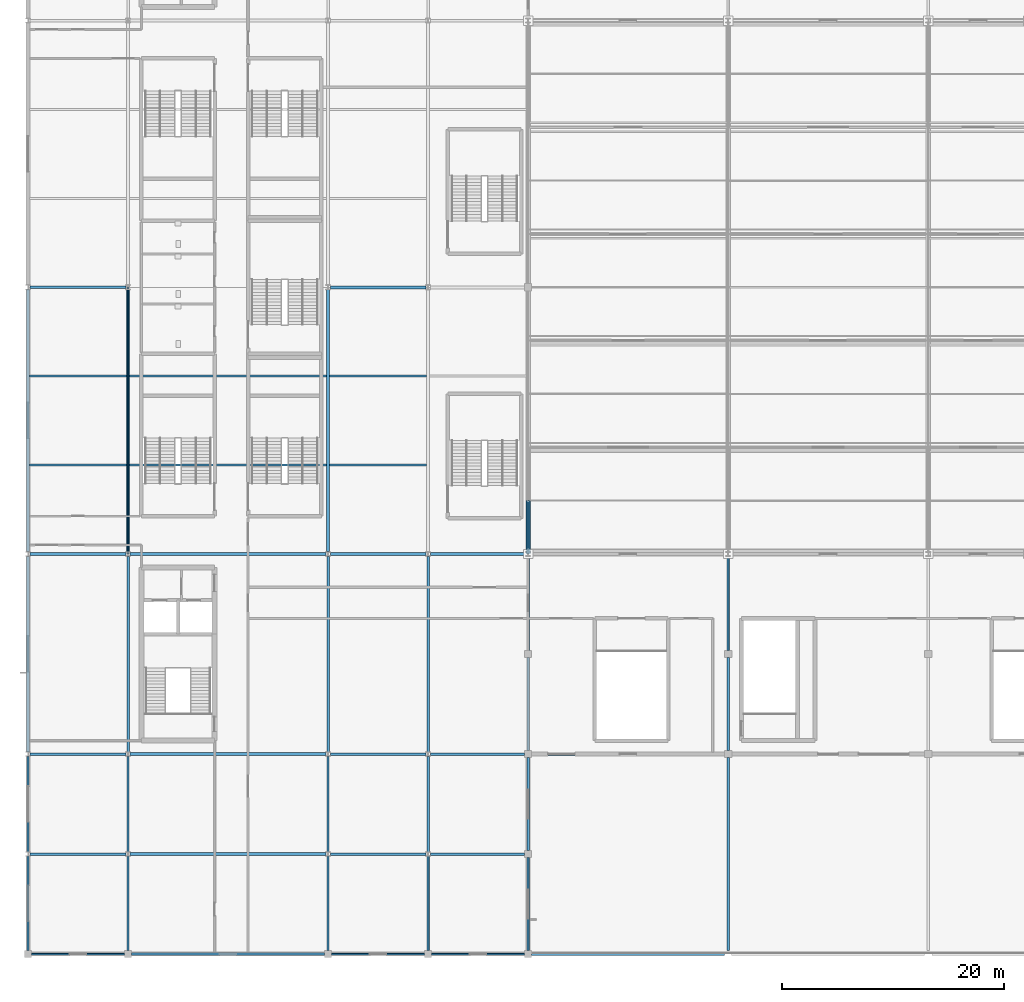
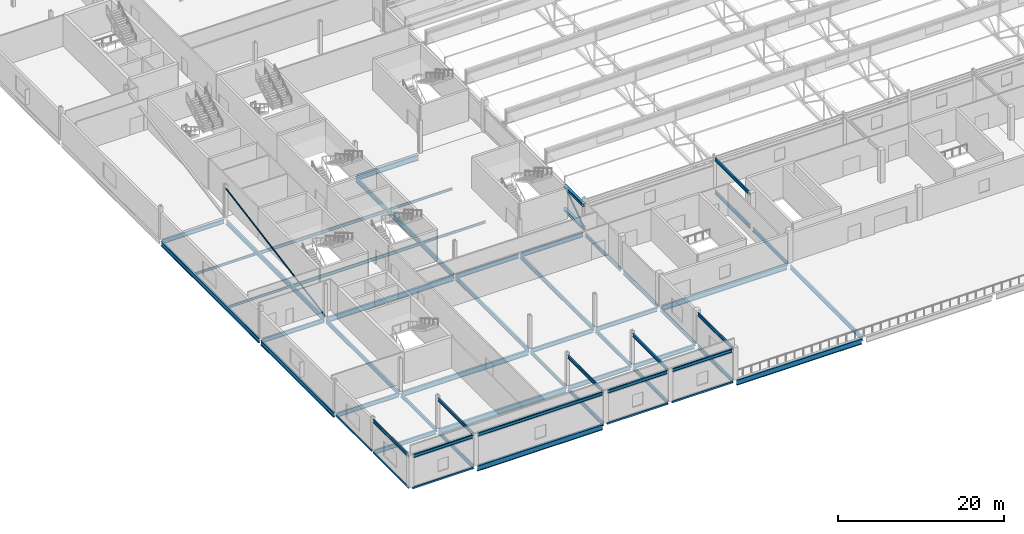
# One storey, part 12 of 136: 60 beams, 2 members.
"""IFC4 building model written with IfcOpenShell, lengths in metres."""

from ifc_helpers import new_model, si_unit, direction, frame, origin, origin_2d, place, context, subcontext, project, spatial, hollow_rectangle, hollow_circle, i_section, extrude, material, material_profile, profile_set, type_object, element, save


model = new_model("IFC4")

# Units and contexts
model_context = context("Model", 3, precision=1e-05, world=origin(), true_north=direction((0.0, 1.0)))
body_context = subcontext(model_context, "Body", "Model", "MODEL_VIEW")
ifc_project = project(units=[si_unit("LENGTHUNIT", "METRE"), si_unit("AREAUNIT", "SQUARE_METRE"), si_unit("VOLUMEUNIT", "CUBIC_METRE"), si_unit("PLANEANGLEUNIT", "RADIAN"), si_unit("MASSUNIT", "GRAM", prefix="KILO")], contexts=[model_context])

# Site, building, storey
site_placement = place(None, origin())
site = spatial("IfcSite", under=ifc_project, at=site_placement, CompositionType="ELEMENT")
building_placement = place(site_placement, origin())
building = spatial("IfcBuilding", under=site, at=building_placement, Name="Kisiwana Market Hall", CompositionType="ELEMENT")
storey_placement = place(building_placement, frame((0.0, 0.0, 16.800048828125)))
storey = spatial("IfcBuildingStorey", under=building, at=storey_placement, Name="L03", CompositionType="ELEMENT", Elevation=16.800048828125)

# Beams
ifc_material_1 = material(Name="Steel S355", Category="steel")
ifc_material_profile_1 = material_profile(ifc_material_1, i_section(OverallWidth=0.19140625, OverallDepth=0.4599609375, WebThickness=0.010009765625, FlangeThickness=0.01611328125, at=origin_2d()), Name="UB 457x191x82")
ifc_profile_set_1 = profile_set([ifc_material_profile_1], Name="Steel S355")
beam_type_1 = type_object("IfcBeamType", Name="BM-GIRD-UB457H", PredefinedType="BEAM", material=ifc_profile_set_1)
beam_1_placement = place(storey_placement, frame((0.321044921875, 0.0, 4.27783203125), z_axis=(1.0, 0.0, 0.0), x_axis=(0.0, 1.0, 0.0)))
element("IfcBeam", 1, at=beam_1_placement, inside=storey, type_object=beam_type_1, Name="Roof girder B-1101", PredefinedType="BEAM", context=body_context, shape_type="SweptSolid", body=[
    extrude(i_section(OverallWidth=0.19140625, OverallDepth=0.4599609375, WebThickness=0.010009765625, FlangeThickness=0.01611328125, at=origin_2d()), origin(), (0.0, 0.0, 1.0), 8.35791015625),
])
beam_2_placement = place(storey_placement, frame((9.321044921875, 0.0, 4.27783203125), z_axis=(1.0, 0.0, 0.0), x_axis=(0.0, 1.0, 0.0)))
element("IfcBeam", 2, at=beam_2_placement, inside=storey, type_object=beam_type_1, Name="Roof girder B-1102", PredefinedType="BEAM", context=body_context, shape_type="SweptSolid", body=[
    extrude(i_section(OverallWidth=0.19140625, OverallDepth=0.4599609375, WebThickness=0.010009765625, FlangeThickness=0.01611328125, at=origin_2d()), origin(), (0.0, 0.0, 1.0), 17.35791015625),
])
for number, where, z_axis, x_axis, name in (
    (3, (27.321044921875, 0.0, 4.27783203125), (1.0, 0.0, 0.0), (0.0, 1.0, 0.0), "Roof girder B-1103"),
    (4, (36.321044921875, 0.0, 4.27783203125), (1.0, 0.0, 0.0), (0.0, 1.0, 0.0), "Roof girder B-1104"),
):
    element("IfcBeam", number, at=place(storey_placement, frame(where, z_axis=z_axis, x_axis=x_axis)), inside=storey, type_object=beam_type_1, Name=name, PredefinedType="BEAM", context=body_context, shape_type="SweptSolid", body=[
        extrude(i_section(OverallWidth=0.19140625, OverallDepth=0.4599609375, WebThickness=0.010009765625, FlangeThickness=0.01611328125, at=origin_2d()), origin(), (0.0, 0.0, 1.0), 8.35791015625),
    ])
for number, where, z_axis, x_axis, name in (
    (5, (0.0, 0.321044921875, 4.27783203125), (0.0, 1.0, 0.0), (-1.0, 0.0, 0.0), "Roof girder B-1105"),
    (6, (9.0, 0.321044921875, 4.27783203125), (0.0, 1.0, 0.0), (-1.0, 0.0, 0.0), "Roof girder B-1106"),
    (7, (27.0, 0.321044921875, 4.27783203125), (0.0, 1.0, 0.0), (-1.0, 0.0, 0.0), "Roof girder B-1107"),
    (8, (36.0, 0.321044921875, 4.27783203125), (0.0, 1.0, 0.0), (-1.0, 0.0, 0.0), "Roof girder B-1108"),
):
    element("IfcBeam", number, at=place(storey_placement, frame(where, z_axis=z_axis, x_axis=x_axis)), inside=storey, type_object=beam_type_1, Name=name, PredefinedType="BEAM", context=body_context, shape_type="SweptSolid", body=[
        extrude(i_section(OverallWidth=0.19140625, OverallDepth=0.4599609375, WebThickness=0.010009765625, FlangeThickness=0.01611328125, at=origin_2d()), origin(), (0.0, 0.0, 1.0), 8.486083984375),
    ])
beam_3_placement = place(storey_placement, frame((45.0, 0.321044921875, 4.27783203125), z_axis=(0.0, 1.0, 0.0), x_axis=(-1.0, 0.0, 0.0)))
element("IfcBeam", 9, at=beam_3_placement, inside=storey, type_object=beam_type_1, Name="Roof girder B-1109", PredefinedType="BEAM", context=body_context, shape_type="SweptSolid", body=[
    extrude(i_section(OverallWidth=0.19140625, OverallDepth=0.4599609375, WebThickness=0.010009765625, FlangeThickness=0.01611328125, at=origin_2d()), origin(), (0.0, 0.0, 1.0), 8.35791015625),
])
beam_4_placement = place(storey_placement, frame((63.0, 27.321044921875, 4.27783203125), z_axis=(0.0, 1.0, 0.0), x_axis=(-1.0, 0.0, 0.0)))
element("IfcBeam", 10, at=beam_4_placement, inside=storey, type_object=beam_type_1, Name="Roof girder B-1145", PredefinedType="BEAM", context=body_context, shape_type="SweptSolid", body=[
    extrude(i_section(OverallWidth=0.19140625, OverallDepth=0.4599609375, WebThickness=0.010009765625, FlangeThickness=0.01611328125, at=origin_2d()), origin(), (0.0, 0.0, 1.0), 8.465576171875),
])
ifc_material_2 = material(Name="Steel S355", Category="steel")
ifc_material_profile_2 = material_profile(ifc_material_2, i_section(OverallWidth=0.209228515625, OverallDepth=0.533203125, WebThickness=0.010009765625, FlangeThickness=0.015625, at=origin_2d()), Name="UB 533x210x92")
ifc_profile_set_2 = profile_set([ifc_material_profile_2], Name="Steel S355")
beam_type_2 = type_object("IfcBeamType", Name="BM-GIRD-UB533", PredefinedType="BEAM", material=ifc_profile_set_2)
beam_5_placement = place(storey_placement, frame((9.0, 0.321044921875, -0.5166015625), z_axis=(0.0, 1.0, 0.0), x_axis=(-1.0, 0.0, 0.0)))
element("IfcBeam", 11, at=beam_5_placement, inside=storey, type_object=beam_type_2, Name="Primary girder B-0853", PredefinedType="BEAM", context=body_context, shape_type="SweptSolid", body=[
    extrude(i_section(OverallWidth=0.209228515625, OverallDepth=0.533203125, WebThickness=0.010009765625, FlangeThickness=0.015625, at=origin_2d()), origin(), (0.0, 0.0, 1.0), 8.486083984375),
])
beam_6_placement = place(storey_placement, frame((9.0, 9.19287109375, -0.5166015625), z_axis=(0.0, 1.0, 0.0), x_axis=(-1.0, 0.0, 0.0)))
element("IfcBeam", 12, at=beam_6_placement, inside=storey, type_object=beam_type_2, Name="Primary girder B-0854", PredefinedType="BEAM", context=body_context, shape_type="SweptSolid", body=[
    extrude(i_section(OverallWidth=0.209228515625, OverallDepth=0.533203125, WebThickness=0.010009765625, FlangeThickness=0.015625, at=origin_2d()), origin(), (0.0, 0.0, 1.0), 8.60302734375),
])
beam_7_placement = place(storey_placement, frame((27.0, 0.321044921875, -0.5166015625), z_axis=(0.0, 1.0, 0.0), x_axis=(-1.0, 0.0, 0.0)))
element("IfcBeam", 13, at=beam_7_placement, inside=storey, type_object=beam_type_2, Name="Primary girder B-0861", PredefinedType="BEAM", context=body_context, shape_type="SweptSolid", body=[
    extrude(i_section(OverallWidth=0.209228515625, OverallDepth=0.533203125, WebThickness=0.010009765625, FlangeThickness=0.015625, at=origin_2d()), origin(), (0.0, 0.0, 1.0), 8.486083984375),
])
beam_8_placement = place(storey_placement, frame((27.0, 9.19287109375, -0.5166015625), z_axis=(0.0, 1.0, 0.0), x_axis=(-1.0, 0.0, 0.0)))
element("IfcBeam", 14, at=beam_8_placement, inside=storey, type_object=beam_type_2, Name="Primary girder B-0862", PredefinedType="BEAM", context=body_context, shape_type="SweptSolid", body=[
    extrude(i_section(OverallWidth=0.209228515625, OverallDepth=0.533203125, WebThickness=0.010009765625, FlangeThickness=0.015625, at=origin_2d()), origin(), (0.0, 0.0, 1.0), 8.60302734375),
])
beam_9_placement = place(storey_placement, frame((36.0, 0.321044921875, -0.5166015625), z_axis=(0.0, 1.0, 0.0), x_axis=(-1.0, 0.0, 0.0)))
element("IfcBeam", 15, at=beam_9_placement, inside=storey, type_object=beam_type_2, Name="Primary girder B-0867", PredefinedType="BEAM", context=body_context, shape_type="SweptSolid", body=[
    extrude(i_section(OverallWidth=0.209228515625, OverallDepth=0.533203125, WebThickness=0.010009765625, FlangeThickness=0.015625, at=origin_2d()), origin(), (0.0, 0.0, 1.0), 8.486083984375),
])
beam_10_placement = place(storey_placement, frame((36.0, 9.19287109375, -0.5166015625), z_axis=(0.0, 1.0, 0.0), x_axis=(-1.0, 0.0, 0.0)))
element("IfcBeam", 16, at=beam_10_placement, inside=storey, type_object=beam_type_2, Name="Primary girder B-0868", PredefinedType="BEAM", context=body_context, shape_type="SweptSolid", body=[
    extrude(i_section(OverallWidth=0.209228515625, OverallDepth=0.533203125, WebThickness=0.010009765625, FlangeThickness=0.015625, at=origin_2d()), origin(), (0.0, 0.0, 1.0), 8.60302734375),
])
for number, where, z_axis, x_axis, name in (
    (17, (45.0, 0.321044921875, -0.524658203125), (0.0, 1.0, 0.0), (-1.0, 0.0, 0.0), "Primary girder B-0875"),
    (18, (45.0, 9.321044921875, -0.524658203125), (0.0, 1.0, 0.0), (-1.0, 0.0, 0.0), "Primary girder B-0876"),
    (19, (45.0, 18.321044921875, -0.5166015625), (0.0, 1.0, 0.0), (-1.0, 0.0, 0.0), "Primary girder B-0877"),
):
    element("IfcBeam", number, at=place(storey_placement, frame(where, z_axis=z_axis, x_axis=x_axis)), inside=storey, type_object=beam_type_2, Name=name, PredefinedType="BEAM", context=body_context, shape_type="SweptSolid", body=[
        extrude(i_section(OverallWidth=0.209228515625, OverallDepth=0.533203125, WebThickness=0.010009765625, FlangeThickness=0.015625, at=origin_2d()), origin(), (0.0, 0.0, 1.0), 8.35791015625),
    ])
beam_11_placement = place(storey_placement, frame((45.0, 27.321044921875, -0.5166015625), z_axis=(0.0, 1.0, 0.0), x_axis=(-1.0, 0.0, 0.0)))
element("IfcBeam", 20, at=beam_11_placement, inside=storey, type_object=beam_type_2, Name="Primary girder B-0878", PredefinedType="BEAM", context=body_context, shape_type="SweptSolid", body=[
    extrude(i_section(OverallWidth=0.209228515625, OverallDepth=0.533203125, WebThickness=0.010009765625, FlangeThickness=0.015625, at=origin_2d()), origin(), (0.0, 0.0, 1.0), 8.465576171875),
])
beam_12_placement = place(storey_placement, frame((63.0, 18.321044921875, -0.5166015625), z_axis=(0.0, 1.0, 0.0), x_axis=(-1.0, 0.0, 0.0)))
element("IfcBeam", 21, at=beam_12_placement, inside=storey, type_object=beam_type_2, Name="Primary girder B-0884", PredefinedType="BEAM", context=body_context, shape_type="SweptSolid", body=[
    extrude(i_section(OverallWidth=0.209228515625, OverallDepth=0.533203125, WebThickness=0.010009765625, FlangeThickness=0.015625, at=origin_2d()), origin(), (0.0, 0.0, 1.0), 8.35791015625),
])
beam_13_placement = place(storey_placement, frame((63.0, 27.321044921875, -0.5166015625), z_axis=(0.0, 1.0, 0.0), x_axis=(-1.0, 0.0, 0.0)))
element("IfcBeam", 22, at=beam_13_placement, inside=storey, type_object=beam_type_2, Name="Primary girder B-0885", PredefinedType="BEAM", context=body_context, shape_type="SweptSolid", body=[
    extrude(i_section(OverallWidth=0.209228515625, OverallDepth=0.533203125, WebThickness=0.010009765625, FlangeThickness=0.015625, at=origin_2d()), origin(), (0.0, 0.0, 1.0), 8.465576171875),
])
ifc_material_3 = material(Name="Steel S355", Category="steel")
ifc_material_profile_3 = material_profile(ifc_material_3, i_section(OverallWidth=0.22900390625, OverallDepth=0.6123046875, WebThickness=0.011962890625, FlangeThickness=0.01953125, at=origin_2d()), Name="UB 610x229x125")
ifc_profile_set_3 = profile_set([ifc_material_profile_3], Name="Steel S355")
beam_type_3 = type_object("IfcBeamType", Name="BM-GIRD-UB610H", PredefinedType="BEAM", material=ifc_profile_set_3)
for number, where, z_axis, x_axis, name in (
    (23, (0.195556640625, 9.0, -0.55615234375), (1.0, 0.0, 0.0), (0.0, 1.0, 0.0), "Floor beam B-0985"),
    (24, (27.195556640625, 9.0, -0.55615234375), (1.0, 0.0, 0.0), (0.0, 1.0, 0.0), "Floor beam B-0987"),
):
    element("IfcBeam", number, at=place(storey_placement, frame(where, z_axis=z_axis, x_axis=x_axis)), inside=storey, type_object=beam_type_3, Name=name, PredefinedType="BEAM", context=body_context, shape_type="SweptSolid", body=[
        extrude(i_section(OverallWidth=0.22900390625, OverallDepth=0.6123046875, WebThickness=0.011962890625, FlangeThickness=0.01953125, at=origin_2d()), origin(), (0.0, 0.0, 1.0), 8.60888671875),
    ])
beam_14_placement = place(storey_placement, frame((36.195556640625, 9.0, -0.55615234375), z_axis=(1.0, 0.0, 0.0), x_axis=(0.0, 1.0, 0.0)))
element("IfcBeam", 25, at=beam_14_placement, inside=storey, type_object=beam_type_3, Name="Floor beam B-0988", PredefinedType="BEAM", context=body_context, shape_type="SweptSolid", body=[
    extrude(i_section(OverallWidth=0.22900390625, OverallDepth=0.6123046875, WebThickness=0.011962890625, FlangeThickness=0.01953125, at=origin_2d()), origin(), (0.0, 0.0, 1.0), 8.4833984375),
])
for number, where, z_axis, x_axis, name in (
    (26, (0.198974609375, 18.0, -0.55615234375), (1.0, 0.0, 0.0), (0.0, 1.0, 0.0), "Floor beam B-0993"),
    (27, (27.198974609375, 18.0, -0.55615234375), (1.0, 0.0, 0.0), (0.0, 1.0, 0.0), "Floor beam B-0995"),
):
    element("IfcBeam", number, at=place(storey_placement, frame(where, z_axis=z_axis, x_axis=x_axis)), inside=storey, type_object=beam_type_3, Name=name, PredefinedType="BEAM", context=body_context, shape_type="SweptSolid", body=[
        extrude(i_section(OverallWidth=0.22900390625, OverallDepth=0.6123046875, WebThickness=0.011962890625, FlangeThickness=0.01953125, at=origin_2d()), origin(), (0.0, 0.0, 1.0), 8.60205078125),
    ])
beam_15_placement = place(storey_placement, frame((36.198974609375, 18.0, -0.55615234375), z_axis=(1.0, 0.0, 0.0), x_axis=(0.0, 1.0, 0.0)))
element("IfcBeam", 28, at=beam_15_placement, inside=storey, type_object=beam_type_3, Name="Floor beam B-0996", PredefinedType="BEAM", context=body_context, shape_type="SweptSolid", body=[
    extrude(i_section(OverallWidth=0.22900390625, OverallDepth=0.6123046875, WebThickness=0.011962890625, FlangeThickness=0.01953125, at=origin_2d()), origin(), (0.0, 0.0, 1.0), 8.47998046875),
])
for number, where, z_axis, x_axis, name in (
    (29, (0.198974609375, 36.0, -0.55615234375), (1.0, 0.0, 0.0), (0.0, 1.0, 0.0), "Floor beam B-1007"),
    (30, (27.198974609375, 36.0, -0.55615234375), (1.0, 0.0, 0.0), (0.0, 1.0, 0.0), "Floor beam B-1009"),
):
    element("IfcBeam", number, at=place(storey_placement, frame(where, z_axis=z_axis, x_axis=x_axis)), inside=storey, type_object=beam_type_3, Name=name, PredefinedType="BEAM", context=body_context, shape_type="SweptSolid", body=[
        extrude(i_section(OverallWidth=0.22900390625, OverallDepth=0.6123046875, WebThickness=0.011962890625, FlangeThickness=0.01953125, at=origin_2d()), origin(), (0.0, 0.0, 1.0), 8.60205078125),
    ])
beam_16_placement = place(storey_placement, frame((36.198974609375, 36.0, -0.55615234375), z_axis=(1.0, 0.0, 0.0), x_axis=(0.0, 1.0, 0.0)))
element("IfcBeam", 31, at=beam_16_placement, inside=storey, type_object=beam_type_3, Name="Floor beam B-1010", PredefinedType="BEAM", context=body_context, shape_type="SweptSolid", body=[
    extrude(i_section(OverallWidth=0.22900390625, OverallDepth=0.6123046875, WebThickness=0.011962890625, FlangeThickness=0.01953125, at=origin_2d()), origin(), (0.0, 0.0, 1.0), 8.59912109375),
])
beam_17_placement = place(storey_placement, frame((0.198974609375, 60.0, -0.55615234375), z_axis=(1.0, 0.0, 0.0), x_axis=(0.0, 1.0, 0.0)))
element("IfcBeam", 32, at=beam_17_placement, inside=storey, type_object=beam_type_3, Name="Primary girder B-0851", PredefinedType="BEAM", context=body_context, shape_type="SweptSolid", body=[
    extrude(i_section(OverallWidth=0.22900390625, OverallDepth=0.6123046875, WebThickness=0.011962890625, FlangeThickness=0.01953125, at=origin_2d()), origin(), (0.0, 0.0, 1.0), 8.60205078125),
])
for number, where, z_axis, x_axis, name in (
    (33, (9.0, 18.2041015625, -0.55615234375), (0.0, 1.0, 0.0), (-1.0, 0.0, 0.0), "Primary girder B-0855"),
    (34, (27.0, 18.2041015625, -0.55615234375), (0.0, 1.0, 0.0), (-1.0, 0.0, 0.0), "Primary girder B-0863"),
    (35, (36.0, 18.2041015625, -0.55615234375), (0.0, 1.0, 0.0), (-1.0, 0.0, 0.0), "Primary girder B-0869"),
):
    element("IfcBeam", number, at=place(storey_placement, frame(where, z_axis=z_axis, x_axis=x_axis)), inside=storey, type_object=beam_type_3, Name=name, PredefinedType="BEAM", context=body_context, shape_type="SweptSolid", body=[
        extrude(i_section(OverallWidth=0.22900390625, OverallDepth=0.6123046875, WebThickness=0.011962890625, FlangeThickness=0.01953125, at=origin_2d()), origin(), (0.0, 0.0, 1.0), 17.591796875),
    ])
beam_18_placement = place(storey_placement, frame((63.0, 0.321044921875, -0.564208984375), z_axis=(0.0, 1.0, 0.0), x_axis=(-1.0, 0.0, 0.0)))
element("IfcBeam", 36, at=beam_18_placement, inside=storey, type_object=beam_type_3, Name="Primary girder B-0883", PredefinedType="BEAM", context=body_context, shape_type="SweptSolid", body=[
    extrude(i_section(OverallWidth=0.22900390625, OverallDepth=0.6123046875, WebThickness=0.011962890625, FlangeThickness=0.01953125, at=origin_2d()), origin(), (0.0, 0.0, 1.0), 17.35791015625),
])
ifc_material_4 = material(Name="Steel S355", Category="steel")
ifc_material_profile_4 = material_profile(ifc_material_4, i_section(OverallWidth=0.253662109375, OverallDepth=0.68359375, WebThickness=0.012451171875, FlangeThickness=0.01904296875, at=origin_2d()), Name="UB 686x254x140")
ifc_profile_set_4 = profile_set([ifc_material_profile_4], Name="Steel S355")
beam_type_4 = type_object("IfcBeamType", Name="BM-GIRD-UB686", PredefinedType="BEAM", material=ifc_profile_set_4)
beam_19_placement = place(storey_placement, frame((0.0, 18.2041015625, -0.591796875), z_axis=(0.0, 1.0, 0.0), x_axis=(-1.0, 0.0, 0.0)))
element("IfcBeam", 37, at=beam_19_placement, inside=storey, type_object=beam_type_4, Name="Floor beam B-1079", PredefinedType="BEAM", context=body_context, shape_type="SweptSolid", body=[
    extrude(i_section(OverallWidth=0.253662109375, OverallDepth=0.68359375, WebThickness=0.012451171875, FlangeThickness=0.01904296875, at=origin_2d()), origin(), (0.0, 0.0, 1.0), 17.591796875),
])
for number, where, z_axis, x_axis, name in (
    (38, (0.0, 36.2041015625, -0.591796875), (0.0, 1.0, 0.0), (-1.0, 0.0, 0.0), "Floor beam B-1080"),
    (39, (27.0, 36.2041015625, -0.591796875), (0.0, 1.0, 0.0), (-1.0, 0.0, 0.0), "Floor beam B-1085"),
    (40, (9.0, 36.2041015625, -0.591796875), (0.0, 1.0, 0.0), (-1.0, 0.0, 0.0), "Primary girder B-0856"),
):
    element("IfcBeam", number, at=place(storey_placement, frame(where, z_axis=z_axis, x_axis=x_axis)), inside=storey, type_object=beam_type_4, Name=name, PredefinedType="BEAM", context=body_context, shape_type="SweptSolid", body=[
        extrude(i_section(OverallWidth=0.253662109375, OverallDepth=0.68359375, WebThickness=0.012451171875, FlangeThickness=0.01904296875, at=origin_2d()), origin(), (0.0, 0.0, 1.0), 23.591796875),
    ])
ifc_material_5 = material(Name="Steel S355", Category="steel")
ifc_material_profile_5 = material_profile(ifc_material_5, i_section(OverallWidth=0.2666015625, OverallDepth=0.76220703125, WebThickness=0.014404296875, FlangeThickness=0.021484375, at=origin_2d()), Name="UB 762x267x173")
ifc_profile_set_5 = profile_set([ifc_material_profile_5], Name="Steel S355")
beam_type_5 = type_object("IfcBeamType", Name="BM-GIRD-UB762", PredefinedType="BEAM", material=ifc_profile_set_5)
for number, where, z_axis, x_axis, name in (
    (41, (9.321044921875, 0.0, -0.631103515625), (1.0, 0.0, 0.0), (0.0, 1.0, 0.0), "Floor beam B-0972"),
    (42, (45.321044921875, 0.0, -0.63916015625), (1.0, 0.0, 0.0), (0.0, 1.0, 0.0), "Floor beam B-0975"),
):
    element("IfcBeam", number, at=place(storey_placement, frame(where, z_axis=z_axis, x_axis=x_axis)), inside=storey, type_object=beam_type_5, Name=name, PredefinedType="BEAM", context=body_context, shape_type="SweptSolid", body=[
        extrude(i_section(OverallWidth=0.2666015625, OverallDepth=0.76220703125, WebThickness=0.014404296875, FlangeThickness=0.021484375, at=origin_2d()), origin(), (0.0, 0.0, 1.0), 17.35791015625),
    ])
beam_20_placement = place(storey_placement, frame((9.195556640625, 9.0, -0.631103515625), z_axis=(1.0, 0.0, 0.0), x_axis=(0.0, 1.0, 0.0)))
element("IfcBeam", 43, at=beam_20_placement, inside=storey, type_object=beam_type_5, Name="Floor beam B-0986", PredefinedType="BEAM", context=body_context, shape_type="SweptSolid", body=[
    extrude(i_section(OverallWidth=0.2666015625, OverallDepth=0.76220703125, WebThickness=0.014404296875, FlangeThickness=0.021484375, at=origin_2d()), origin(), (0.0, 0.0, 1.0), 17.60888671875),
])
beam_21_placement = place(storey_placement, frame((9.198974609375, 18.0, -0.631103515625), z_axis=(1.0, 0.0, 0.0), x_axis=(0.0, 1.0, 0.0)))
element("IfcBeam", 44, at=beam_21_placement, inside=storey, type_object=beam_type_5, Name="Floor beam B-0994", PredefinedType="BEAM", context=body_context, shape_type="SweptSolid", body=[
    extrude(i_section(OverallWidth=0.2666015625, OverallDepth=0.76220703125, WebThickness=0.014404296875, FlangeThickness=0.021484375, at=origin_2d()), origin(), (0.0, 0.0, 1.0), 17.60205078125),
])
beam_22_placement = place(storey_placement, frame((45.321044921875, 18.0, -0.63916015625), z_axis=(1.0, 0.0, 0.0), x_axis=(0.0, 1.0, 0.0)))
element("IfcBeam", 45, at=beam_22_placement, inside=storey, type_object=beam_type_5, Name="Floor beam B-0997", PredefinedType="BEAM", context=body_context, shape_type="SweptSolid", body=[
    extrude(i_section(OverallWidth=0.2666015625, OverallDepth=0.76220703125, WebThickness=0.014404296875, FlangeThickness=0.021484375, at=origin_2d()), origin(), (0.0, 0.0, 1.0), 17.35791015625),
])
beam_23_placement = place(storey_placement, frame((9.198974609375, 36.0, -0.631103515625), z_axis=(1.0, 0.0, 0.0), x_axis=(0.0, 1.0, 0.0)))
element("IfcBeam", 46, at=beam_23_placement, inside=storey, type_object=beam_type_5, Name="Floor beam B-1008", PredefinedType="BEAM", context=body_context, shape_type="SweptSolid", body=[
    extrude(i_section(OverallWidth=0.2666015625, OverallDepth=0.76220703125, WebThickness=0.014404296875, FlangeThickness=0.021484375, at=origin_2d()), origin(), (0.0, 0.0, 1.0), 17.60205078125),
])
beam_24_placement = place(storey_placement, frame((27.198974609375, 60.0, -0.631103515625), z_axis=(1.0, 0.0, 0.0), x_axis=(0.0, 1.0, 0.0)))
element("IfcBeam", 47, at=beam_24_placement, inside=storey, type_object=beam_type_5, Name="Floor beam B-1023", PredefinedType="BEAM", context=body_context, shape_type="SweptSolid", body=[
    extrude(i_section(OverallWidth=0.2666015625, OverallDepth=0.76220703125, WebThickness=0.014404296875, FlangeThickness=0.021484375, at=origin_2d()), origin(), (0.0, 0.0, 1.0), 8.60205078125),
])
ifc_material_6 = material(Name="Steel S355", Category="steel")
ifc_material_profile_6 = material_profile(ifc_material_6, i_section(OverallWidth=0.17138671875, OverallDepth=0.35498046875, WebThickness=0.00732421875, FlangeThickness=0.011474609375, at=origin_2d()), Name="UB 356x171x51")
ifc_profile_set_6 = profile_set([ifc_material_profile_6], Name="Steel S355")
beam_type_6 = type_object("IfcBeamType", Name="BM-JOIST-UB356", PredefinedType="JOIST", material=ifc_profile_set_6)
for number, where, z_axis, x_axis, name in (
    (48, (0.125732421875, 44.0, -0.427490234375), (1.0, 0.0, 0.0), (0.0, 1.0, 0.0), "Secondary floor joist B-0943"),
    (49, (27.125732421875, 44.0, -0.427490234375), (1.0, 0.0, 0.0), (0.0, 1.0, 0.0), "Secondary floor joist B-0945"),
    (50, (0.125732421875, 52.0, -0.427490234375), (1.0, 0.0, 0.0), (0.0, 1.0, 0.0), "Secondary floor joist B-0949"),
    (51, (27.125732421875, 52.0, -0.427490234375), (1.0, 0.0, 0.0), (0.0, 1.0, 0.0), "Secondary floor joist B-0951"),
):
    element("IfcBeam", number, at=place(storey_placement, frame(where, z_axis=z_axis, x_axis=x_axis)), inside=storey, type_object=beam_type_6, Name=name, PredefinedType="JOIST", context=body_context, shape_type="SweptSolid", body=[
        extrude(i_section(OverallWidth=0.17138671875, OverallDepth=0.35498046875, WebThickness=0.00732421875, FlangeThickness=0.011474609375, at=origin_2d()), origin(), (0.0, 0.0, 1.0), 8.74853515625),
    ])
ifc_material_7 = material(Name="Steel S355", Category="steel")
ifc_material_profile_7 = material_profile(ifc_material_7, i_section(OverallWidth=0.18994140625, OverallDepth=0.453369140625, WebThickness=0.008544921875, FlangeThickness=0.0126953125, at=origin_2d()), Name="UB 457x191x67")
ifc_profile_set_7 = profile_set([ifc_material_profile_7], Name="Steel S355")
beam_type_7 = type_object("IfcBeamType", Name="BM-JOIST-UB457", PredefinedType="JOIST", material=ifc_profile_set_7)
for number, where, z_axis, x_axis, name in (
    (52, (9.125732421875, 44.0, -0.476806640625), (1.0, 0.0, 0.0), (0.0, 1.0, 0.0), "Secondary floor joist B-0944"),
    (53, (9.125732421875, 52.0, -0.476806640625), (1.0, 0.0, 0.0), (0.0, 1.0, 0.0), "Secondary floor joist B-0950"),
):
    element("IfcBeam", number, at=place(storey_placement, frame(where, z_axis=z_axis, x_axis=x_axis)), inside=storey, type_object=beam_type_7, Name=name, PredefinedType="JOIST", context=body_context, shape_type="SweptSolid", body=[
        extrude(i_section(OverallWidth=0.18994140625, OverallDepth=0.453369140625, WebThickness=0.008544921875, FlangeThickness=0.0126953125, at=origin_2d()), origin(), (0.0, 0.0, 1.0), 17.74853515625),
    ])
ifc_material_8 = material(Name="Steel S355", Category="steel")
ifc_material_profile_8 = material_profile(ifc_material_8, hollow_rectangle(XDim=0.14990234375, YDim=0.25, WallThickness=0.010009765625, at=origin_2d()), Name="RHS 250x150x10.0")
ifc_profile_set_8 = profile_set([ifc_material_profile_8], Name="Steel S355")
beam_type_8 = type_object("IfcBeamType", Name="BM-SPAN-RHS250", PredefinedType="SPANDREL", material=ifc_profile_set_8)
for number, where, z_axis, x_axis, name in (
    (54, (0.321044921875, 0.0, -0.375), (1.0, 0.0, 0.0), (0.0, 1.0, 0.0), "Floor beam B-0971"),
    (55, (27.321044921875, 0.0, -0.375), (1.0, 0.0, 0.0), (0.0, 1.0, 0.0), "Floor beam B-0973"),
    (56, (36.321044921875, 0.0, -0.375), (1.0, 0.0, 0.0), (0.0, 1.0, 0.0), "Floor beam B-0974"),
):
    element("IfcBeam", number, at=place(storey_placement, frame(where, z_axis=z_axis, x_axis=x_axis)), inside=storey, type_object=beam_type_8, Name=name, PredefinedType="SPANDREL", context=body_context, shape_type="SweptSolid", body=[
        extrude(hollow_rectangle(XDim=0.14990234375, YDim=0.25, WallThickness=0.010009765625, at=origin_2d()), origin(), (0.0, 0.0, 1.0), 8.35791015625),
    ])
beam_25_placement = place(storey_placement, frame((0.0, 0.321044921875, -0.375), z_axis=(0.0, 1.0, 0.0), x_axis=(-1.0, 0.0, 0.0)))
element("IfcBeam", 57, at=beam_25_placement, inside=storey, type_object=beam_type_8, Name="Floor beam B-1077", PredefinedType="SPANDREL", context=body_context, shape_type="SweptSolid", body=[
    extrude(hollow_rectangle(XDim=0.14990234375, YDim=0.25, WallThickness=0.010009765625, at=origin_2d()), origin(), (0.0, 0.0, 1.0), 8.486083984375),
])
beam_26_placement = place(storey_placement, frame((0.0, 9.19287109375, -0.375), z_axis=(0.0, 1.0, 0.0), x_axis=(-1.0, 0.0, 0.0)))
element("IfcBeam", 58, at=beam_26_placement, inside=storey, type_object=beam_type_8, Name="Floor beam B-1078", PredefinedType="SPANDREL", context=body_context, shape_type="SweptSolid", body=[
    extrude(hollow_rectangle(XDim=0.14990234375, YDim=0.25, WallThickness=0.010009765625, at=origin_2d()), origin(), (0.0, 0.0, 1.0), 8.60302734375),
])
ifc_material_9 = material(Name="Steel S355", Category="steel")
ifc_material_profile_9 = material_profile(ifc_material_9, i_section(OverallWidth=0.394775390625, OverallDepth=0.381103515625, WebThickness=0.018310546875, FlangeThickness=0.0302734375, at=origin_2d()), Name="UC 356x406x235")
ifc_profile_set_9 = profile_set([ifc_material_profile_9], Name="Steel S355")
beam_type_9 = type_object("IfcBeamType", Name="BM-TRUSS-BOT", PredefinedType="USERDEFINED", material=ifc_profile_set_9)
beam_27_placement = place(storey_placement, frame((45.0, 36.0, 0.22998046875), z_axis=(0.0, 1.0, 0.0), x_axis=(-1.0, 0.0, 0.0)))
element("IfcBeam", 59, at=beam_27_placement, inside=storey, type_object=beam_type_9, Name="TR-01 BC panel 1 B-1177", ObjectType="ROOF TRUSS", PredefinedType="USERDEFINED", context=body_context, shape_type="SweptSolid", body=[
    extrude(i_section(OverallWidth=0.394775390625, OverallDepth=0.381103515625, WebThickness=0.018310546875, FlangeThickness=0.0302734375, at=origin_2d()), origin(), (0.0, 0.0, 1.0), 4.800048828125),
])
ifc_material_10 = material(Name="Steel S355", Category="steel")
ifc_material_profile_10 = material_profile(ifc_material_10, i_section(OverallWidth=0.39892578125, OverallDepth=0.3935546875, WebThickness=0.022705078125, FlangeThickness=0.03662109375, at=origin_2d()), Name="UC 356x406x287")
ifc_profile_set_10 = profile_set([ifc_material_profile_10], Name="Steel S355")
beam_type_10 = type_object("IfcBeamType", Name="BM-TRUSS-TOP", PredefinedType="USERDEFINED", material=ifc_profile_set_10)
beam_28_placement = place(storey_placement, frame((45.0, 36.0, 3.619873046875), z_axis=(0.0, 1.0, 0.0), x_axis=(-1.0, 0.0, 0.0)))
element("IfcBeam", 60, at=beam_28_placement, inside=storey, type_object=beam_type_10, Name="TR-01 TC panel 1 B-1187", ObjectType="ROOF TRUSS", PredefinedType="USERDEFINED", context=body_context, shape_type="SweptSolid", body=[
    extrude(i_section(OverallWidth=0.39892578125, OverallDepth=0.3935546875, WebThickness=0.022705078125, FlangeThickness=0.03662109375, at=origin_2d()), origin(), (0.0, 0.0, 1.0), 4.800048828125),
])

# Members
ifc_material_11 = material(Name="Steel S355", Category="steel")
ifc_material_profile_11 = material_profile(ifc_material_11, hollow_circle(Radius=0.096923828125, WallThickness=0.010009765625, at=origin_2d()), Name="CHS 193.7x10")
ifc_profile_set_11 = profile_set([ifc_material_profile_11], Name="Steel S355")
member_type_1 = type_object("IfcMemberType", Name="MB-CBF-CHS193", PredefinedType="BRACE", material=ifc_profile_set_11)
member_1_placement = place(storey_placement, frame((9.0, 36.0, 0.0), z_axis=(0.0, 0.98464571067, 0.17456467128), x_axis=(-1.0, 0.0, 0.0)))
element("IfcMember", 61, at=member_1_placement, inside=storey, type_object=member_type_1, Name="CBF-POD-W diagonal brace (L03) M-0025", PredefinedType="BRACE", context=body_context, shape_type="SweptSolid", body=[
    extrude(hollow_circle(Radius=0.096923828125, WallThickness=0.010009765625, at=origin_2d()), origin(), (0.0, 0.0, 1.0), 24.374267578125),
])
ifc_material_12 = material(Name="Steel S355", Category="steel")
ifc_material_profile_12 = material_profile(ifc_material_12, hollow_circle(Radius=0.109619140625, WallThickness=0.012451171875, at=origin_2d()), Name="CHS 219.1x12.5")
ifc_profile_set_12 = profile_set([ifc_material_profile_12], Name="Steel S355")
member_type_2 = type_object("IfcMemberType", Name="MB-TR-DIAG219", PredefinedType="BRACE", material=ifc_profile_set_12)
member_2_placement = place(storey_placement, frame((45.0, 36.0, 0.22998046875), z_axis=(0.0, 0.816837735077, 0.576867501732), x_axis=(-1.0, 0.0, 0.0)))
element("IfcMember", 62, at=member_2_placement, inside=storey, type_object=member_type_2, Name="TR-01 diagonal 1 M-0336", PredefinedType="BRACE", context=body_context, shape_type="SweptSolid", body=[
    extrude(hollow_circle(Radius=0.109619140625, WallThickness=0.012451171875, at=origin_2d()), origin(), (0.0, 0.0, 1.0), 5.87646484375),
])

save(model, "model.ifc")
